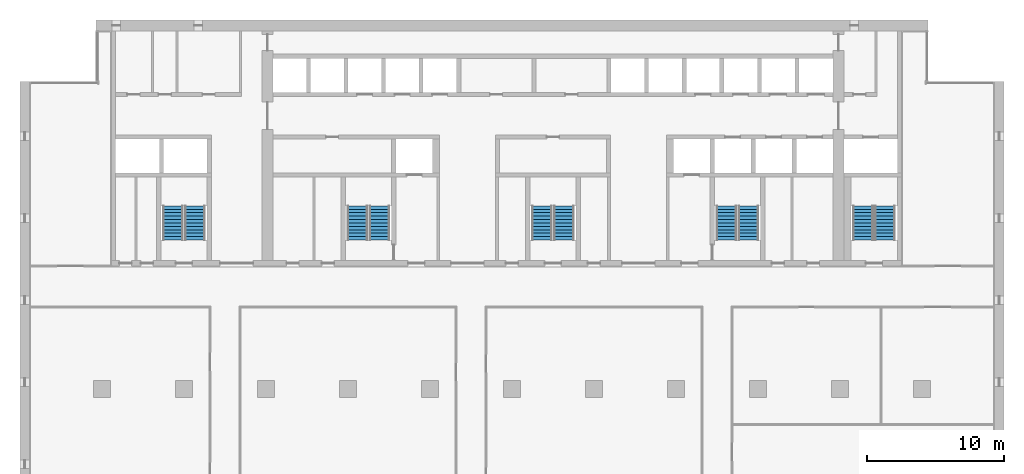
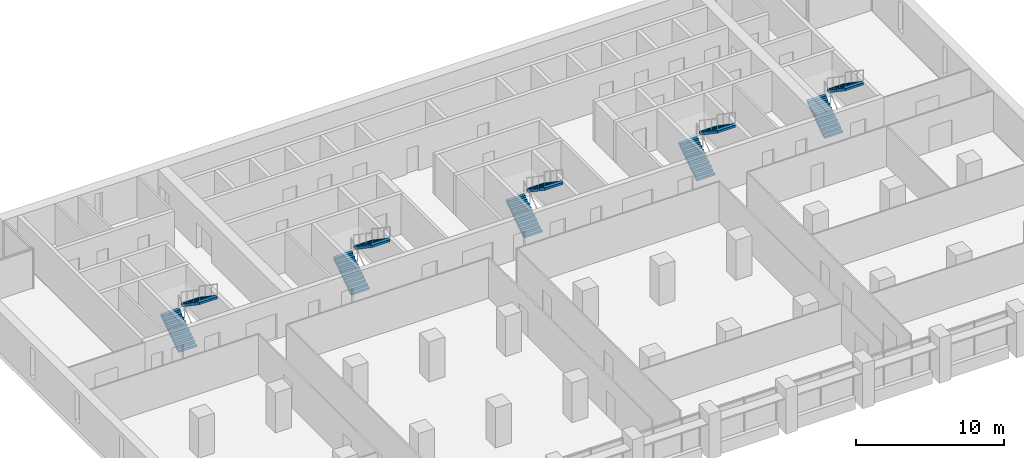
# One storey, part 13 of 16: 10 stair flights, 5 elements without a shape of their own.
"""IFC4 building model written with IfcOpenShell, lengths in metres."""

from ifc_helpers import new_model, si_unit, direction, frame, origin, place, context, subcontext, project, spatial, polyline, outline, extrude, material, type_object, element, aggregate, save


model = new_model("IFC4")

# Units and contexts
model_context = context("Model", 3, precision=1e-05, world=origin(), true_north=direction((0.0, 1.0)))
body_context = subcontext(model_context, "Body", "Model", "MODEL_VIEW")
ifc_project = project(units=[si_unit("LENGTHUNIT", "METRE"), si_unit("AREAUNIT", "SQUARE_METRE"), si_unit("VOLUMEUNIT", "CUBIC_METRE"), si_unit("PLANEANGLEUNIT", "RADIAN"), si_unit("MASSUNIT", "GRAM", prefix="KILO")], contexts=[model_context])

# Site, building, storey
site_placement = place(None, origin())
site = spatial("IfcSite", under=ifc_project, at=site_placement, CompositionType="ELEMENT")
building_placement = place(site_placement, origin())
building = spatial("IfcBuilding", under=site, at=building_placement, Name="Calvaro Tower", CompositionType="ELEMENT")
storey_placement = place(building_placement, frame((0.0, 0.0, 140.0)))
storey = spatial("IfcBuildingStorey", under=building, at=storey_placement, Name="L35", CompositionType="ELEMENT", Elevation=140.0)

# Stair, stair flights
ifc_material_1 = material(Name="Concrete C40/50", Category="concrete")
stair_type = type_object("IfcStairType", Name="Exit stair 1400 2 flights", PredefinedType="HALF_TURN_STAIR", material=ifc_material_1)
stair_1_placement = place(storey_placement, origin())
stair_1 = element("IfcStair", 1, at=stair_1_placement, inside=storey, type_object=stair_type, Name="Exit stair S1", PredefinedType="HALF_TURN_STAIR")
ifc_material_2 = material(Name="Concrete C40/50", Category="concrete")
stair_flight_type = type_object("IfcStairFlightType", Name="Stair flight", PredefinedType="STRAIGHT", material=ifc_material_2)
stair_flight_1_placement = place(storey_placement, frame((11.199951171875, 29.89990234375, 0.0), z_axis=(0.0, 0.0, 1.0), x_axis=(0.0, 1.0, 0.0)))
stair_flight_1 = element("IfcStairFlight", 2, at=stair_flight_1_placement, type_object=stair_flight_type, Name="Exit stair 1, flight 1", NumberOfRisers=11, NumberOfTreads=10, PredefinedType="STRAIGHT", RiserHeight=0.170454545, TreadLength=0.25, context=body_context, shape_type="SweptSolid", body=[
    extrude(outline(polyline([(0.0, 0.0), (0.0, 0.17041015625), (0.25, 0.17041015625), (0.25, 0.3408203125), (0.5, 0.3408203125), (0.5, 0.511474609375), (0.75, 0.511474609375), (0.75, 0.681884765625), (1.0, 0.681884765625), (1.0, 0.852294921875), (1.25, 0.852294921875), (1.25, 1.022705078125), (1.5, 1.022705078125), (1.5, 1.193115234375), (1.75, 1.193115234375), (1.75, 1.363525390625), (2.0, 1.363525390625), (2.0, 1.5341796875), (2.25, 1.5341796875), (2.25, 1.70458984375), (2.5, 1.70458984375), (2.5, 1.875), (2.5, 1.523193359375), (0.26611328125, 0.0), (0.0, 0.0)])), frame((0.0, 0.699951171875, 0.0), z_axis=(0.0, -1.0, 0.0), x_axis=(1.0, 0.0, 0.0)), (0.0, 0.0, 1.0), 1.39990234375),
])
stair_flight_2_placement = place(storey_placement, frame((12.800048828125, 32.39990234375, 1.875), z_axis=(0.0, 0.0, 1.0), x_axis=(0.0, -1.0, 0.0)))
stair_flight_2 = element("IfcStairFlight", 3, at=stair_flight_2_placement, type_object=stair_flight_type, Name="Exit stair 1, flight 2", NumberOfRisers=11, NumberOfTreads=10, PredefinedType="STRAIGHT", RiserHeight=0.170454545, TreadLength=0.25, context=body_context, shape_type="SweptSolid", body=[
    extrude(outline(polyline([(0.0, 0.0), (0.0, 0.17041015625), (0.25, 0.17041015625), (0.25, 0.3408203125), (0.5, 0.3408203125), (0.5, 0.511474609375), (0.75, 0.511474609375), (0.75, 0.681884765625), (1.0, 0.681884765625), (1.0, 0.852294921875), (1.25, 0.852294921875), (1.25, 1.022705078125), (1.5, 1.022705078125), (1.5, 1.193115234375), (1.75, 1.193115234375), (1.75, 1.363525390625), (2.0, 1.363525390625), (2.0, 1.5341796875), (2.25, 1.5341796875), (2.25, 1.70458984375), (2.5, 1.70458984375), (2.5, 1.875), (2.5, 1.523193359375), (0.26611328125, 0.0), (0.0, 0.0)])), frame((0.0, 0.699951171875, 0.0), z_axis=(0.0, -1.0, 0.0), x_axis=(1.0, 0.0, 0.0)), (0.0, 0.0, 1.0), 1.39990234375),
])
aggregate(stair_1, [stair_flight_1, stair_flight_2])

stair_2_placement = place(storey_placement, origin())
stair_2 = element("IfcStair", 4, at=stair_2_placement, inside=storey, type_object=stair_type, Name="Exit stair S2", PredefinedType="HALF_TURN_STAIR")
stair_flight_3_placement = place(storey_placement, frame((24.699951171875, 29.89990234375, 0.0), z_axis=(0.0, 0.0, 1.0), x_axis=(0.0, 1.0, 0.0)))
stair_flight_3 = element("IfcStairFlight", 5, at=stair_flight_3_placement, type_object=stair_flight_type, Name="Exit stair 2, flight 1", NumberOfRisers=11, NumberOfTreads=10, PredefinedType="STRAIGHT", RiserHeight=0.170454545, TreadLength=0.25, context=body_context, shape_type="SweptSolid", body=[
    extrude(outline(polyline([(0.0, 0.0), (0.0, 0.17041015625), (0.25, 0.17041015625), (0.25, 0.3408203125), (0.5, 0.3408203125), (0.5, 0.511474609375), (0.75, 0.511474609375), (0.75, 0.681884765625), (1.0, 0.681884765625), (1.0, 0.852294921875), (1.25, 0.852294921875), (1.25, 1.022705078125), (1.5, 1.022705078125), (1.5, 1.193115234375), (1.75, 1.193115234375), (1.75, 1.363525390625), (2.0, 1.363525390625), (2.0, 1.5341796875), (2.25, 1.5341796875), (2.25, 1.70458984375), (2.5, 1.70458984375), (2.5, 1.875), (2.5, 1.523193359375), (0.26611328125, 0.0), (0.0, 0.0)])), frame((0.0, 0.699951171875, 0.0), z_axis=(0.0, -1.0, 0.0), x_axis=(1.0, 0.0, 0.0)), (0.0, 0.0, 1.0), 1.39990234375),
])
stair_flight_4_placement = place(storey_placement, frame((26.300048828125, 32.39990234375, 1.875), z_axis=(0.0, 0.0, 1.0), x_axis=(0.0, -1.0, 0.0)))
stair_flight_4 = element("IfcStairFlight", 6, at=stair_flight_4_placement, type_object=stair_flight_type, Name="Exit stair 2, flight 2", NumberOfRisers=11, NumberOfTreads=10, PredefinedType="STRAIGHT", RiserHeight=0.170454545, TreadLength=0.25, context=body_context, shape_type="SweptSolid", body=[
    extrude(outline(polyline([(0.0, 0.0), (0.0, 0.17041015625), (0.25, 0.17041015625), (0.25, 0.3408203125), (0.5, 0.3408203125), (0.5, 0.511474609375), (0.75, 0.511474609375), (0.75, 0.681884765625), (1.0, 0.681884765625), (1.0, 0.852294921875), (1.25, 0.852294921875), (1.25, 1.022705078125), (1.5, 1.022705078125), (1.5, 1.193115234375), (1.75, 1.193115234375), (1.75, 1.363525390625), (2.0, 1.363525390625), (2.0, 1.5341796875), (2.25, 1.5341796875), (2.25, 1.70458984375), (2.5, 1.70458984375), (2.5, 1.875), (2.5, 1.523193359375), (0.26611328125, 0.0), (0.0, 0.0)])), frame((0.0, 0.699951171875, 0.0), z_axis=(0.0, -1.0, 0.0), x_axis=(1.0, 0.0, 0.0)), (0.0, 0.0, 1.0), 1.39990234375),
])
aggregate(stair_2, [stair_flight_3, stair_flight_4])

stair_3_placement = place(storey_placement, origin())
stair_3 = element("IfcStair", 7, at=stair_3_placement, inside=storey, type_object=stair_type, Name="Exit stair S3", PredefinedType="HALF_TURN_STAIR")
stair_flight_5_placement = place(storey_placement, frame((38.199951171875, 29.89990234375, 0.0), z_axis=(0.0, 0.0, 1.0), x_axis=(0.0, 1.0, 0.0)))
stair_flight_5 = element("IfcStairFlight", 8, at=stair_flight_5_placement, type_object=stair_flight_type, Name="Exit stair 3, flight 1", NumberOfRisers=11, NumberOfTreads=10, PredefinedType="STRAIGHT", RiserHeight=0.170454545, TreadLength=0.25, context=body_context, shape_type="SweptSolid", body=[
    extrude(outline(polyline([(0.0, 0.0), (0.0, 0.17041015625), (0.25, 0.17041015625), (0.25, 0.3408203125), (0.5, 0.3408203125), (0.5, 0.511474609375), (0.75, 0.511474609375), (0.75, 0.681884765625), (1.0, 0.681884765625), (1.0, 0.852294921875), (1.25, 0.852294921875), (1.25, 1.022705078125), (1.5, 1.022705078125), (1.5, 1.193115234375), (1.75, 1.193115234375), (1.75, 1.363525390625), (2.0, 1.363525390625), (2.0, 1.5341796875), (2.25, 1.5341796875), (2.25, 1.70458984375), (2.5, 1.70458984375), (2.5, 1.875), (2.5, 1.523193359375), (0.26611328125, 0.0), (0.0, 0.0)])), frame((0.0, 0.699951171875, 0.0), z_axis=(0.0, -1.0, 0.0), x_axis=(1.0, 0.0, 0.0)), (0.0, 0.0, 1.0), 1.39990234375),
])
stair_flight_6_placement = place(storey_placement, frame((39.800048828125, 32.39990234375, 1.875), z_axis=(0.0, 0.0, 1.0), x_axis=(0.0, -1.0, 0.0)))
stair_flight_6 = element("IfcStairFlight", 9, at=stair_flight_6_placement, type_object=stair_flight_type, Name="Exit stair 3, flight 2", NumberOfRisers=11, NumberOfTreads=10, PredefinedType="STRAIGHT", RiserHeight=0.170454545, TreadLength=0.25, context=body_context, shape_type="SweptSolid", body=[
    extrude(outline(polyline([(0.0, 0.0), (0.0, 0.17041015625), (0.25, 0.17041015625), (0.25, 0.3408203125), (0.5, 0.3408203125), (0.5, 0.511474609375), (0.75, 0.511474609375), (0.75, 0.681884765625), (1.0, 0.681884765625), (1.0, 0.852294921875), (1.25, 0.852294921875), (1.25, 1.022705078125), (1.5, 1.022705078125), (1.5, 1.193115234375), (1.75, 1.193115234375), (1.75, 1.363525390625), (2.0, 1.363525390625), (2.0, 1.5341796875), (2.25, 1.5341796875), (2.25, 1.70458984375), (2.5, 1.70458984375), (2.5, 1.875), (2.5, 1.523193359375), (0.26611328125, 0.0), (0.0, 0.0)])), frame((0.0, 0.699951171875, 0.0), z_axis=(0.0, -1.0, 0.0), x_axis=(1.0, 0.0, 0.0)), (0.0, 0.0, 1.0), 1.39990234375),
])
aggregate(stair_3, [stair_flight_5, stair_flight_6])

stair_4_placement = place(storey_placement, origin())
stair_4 = element("IfcStair", 10, at=stair_4_placement, inside=storey, type_object=stair_type, Name="Exit stair S4", PredefinedType="HALF_TURN_STAIR")
stair_flight_7_placement = place(storey_placement, frame((51.699951171875, 29.89990234375, 0.0), z_axis=(0.0, 0.0, 1.0), x_axis=(0.0, 1.0, 0.0)))
stair_flight_7 = element("IfcStairFlight", 11, at=stair_flight_7_placement, type_object=stair_flight_type, Name="Exit stair 4, flight 1", NumberOfRisers=11, NumberOfTreads=10, PredefinedType="STRAIGHT", RiserHeight=0.170454545, TreadLength=0.25, context=body_context, shape_type="SweptSolid", body=[
    extrude(outline(polyline([(0.0, 0.0), (0.0, 0.17041015625), (0.25, 0.17041015625), (0.25, 0.3408203125), (0.5, 0.3408203125), (0.5, 0.511474609375), (0.75, 0.511474609375), (0.75, 0.681884765625), (1.0, 0.681884765625), (1.0, 0.852294921875), (1.25, 0.852294921875), (1.25, 1.022705078125), (1.5, 1.022705078125), (1.5, 1.193115234375), (1.75, 1.193115234375), (1.75, 1.363525390625), (2.0, 1.363525390625), (2.0, 1.5341796875), (2.25, 1.5341796875), (2.25, 1.70458984375), (2.5, 1.70458984375), (2.5, 1.875), (2.5, 1.523193359375), (0.26611328125, 0.0), (0.0, 0.0)])), frame((0.0, 0.699951171875, 0.0), z_axis=(0.0, -1.0, 0.0), x_axis=(1.0, 0.0, 0.0)), (0.0, 0.0, 1.0), 1.39990234375),
])
stair_flight_8_placement = place(storey_placement, frame((53.300048828125, 32.39990234375, 1.875), z_axis=(0.0, 0.0, 1.0), x_axis=(0.0, -1.0, 0.0)))
stair_flight_8 = element("IfcStairFlight", 12, at=stair_flight_8_placement, type_object=stair_flight_type, Name="Exit stair 4, flight 2", NumberOfRisers=11, NumberOfTreads=10, PredefinedType="STRAIGHT", RiserHeight=0.170454545, TreadLength=0.25, context=body_context, shape_type="SweptSolid", body=[
    extrude(outline(polyline([(0.0, 0.0), (0.0, 0.17041015625), (0.25, 0.17041015625), (0.25, 0.3408203125), (0.5, 0.3408203125), (0.5, 0.511474609375), (0.75, 0.511474609375), (0.75, 0.681884765625), (1.0, 0.681884765625), (1.0, 0.852294921875), (1.25, 0.852294921875), (1.25, 1.022705078125), (1.5, 1.022705078125), (1.5, 1.193115234375), (1.75, 1.193115234375), (1.75, 1.363525390625), (2.0, 1.363525390625), (2.0, 1.5341796875), (2.25, 1.5341796875), (2.25, 1.70458984375), (2.5, 1.70458984375), (2.5, 1.875), (2.5, 1.523193359375), (0.26611328125, 0.0), (0.0, 0.0)])), frame((0.0, 0.699951171875, 0.0), z_axis=(0.0, -1.0, 0.0), x_axis=(1.0, 0.0, 0.0)), (0.0, 0.0, 1.0), 1.39990234375),
])
aggregate(stair_4, [stair_flight_7, stair_flight_8])

stair_5_placement = place(storey_placement, origin())
stair_5 = element("IfcStair", 13, at=stair_5_placement, inside=storey, type_object=stair_type, Name="Exit stair S5", PredefinedType="HALF_TURN_STAIR")
stair_flight_9_placement = place(storey_placement, frame((61.699951171875, 29.89990234375, 0.0), z_axis=(0.0, 0.0, 1.0), x_axis=(0.0, 1.0, 0.0)))
stair_flight_9 = element("IfcStairFlight", 14, at=stair_flight_9_placement, type_object=stair_flight_type, Name="Exit stair 5, flight 1", NumberOfRisers=11, NumberOfTreads=10, PredefinedType="STRAIGHT", RiserHeight=0.170454545, TreadLength=0.25, context=body_context, shape_type="SweptSolid", body=[
    extrude(outline(polyline([(0.0, 0.0), (0.0, 0.17041015625), (0.25, 0.17041015625), (0.25, 0.3408203125), (0.5, 0.3408203125), (0.5, 0.511474609375), (0.75, 0.511474609375), (0.75, 0.681884765625), (1.0, 0.681884765625), (1.0, 0.852294921875), (1.25, 0.852294921875), (1.25, 1.022705078125), (1.5, 1.022705078125), (1.5, 1.193115234375), (1.75, 1.193115234375), (1.75, 1.363525390625), (2.0, 1.363525390625), (2.0, 1.5341796875), (2.25, 1.5341796875), (2.25, 1.70458984375), (2.5, 1.70458984375), (2.5, 1.875), (2.5, 1.523193359375), (0.26611328125, 0.0), (0.0, 0.0)])), frame((0.0, 0.699951171875, 0.0), z_axis=(0.0, -1.0, 0.0), x_axis=(1.0, 0.0, 0.0)), (0.0, 0.0, 1.0), 1.39990234375),
])
stair_flight_10_placement = place(storey_placement, frame((63.300048828125, 32.39990234375, 1.875), z_axis=(0.0, 0.0, 1.0), x_axis=(0.0, -1.0, 0.0)))
stair_flight_10 = element("IfcStairFlight", 15, at=stair_flight_10_placement, type_object=stair_flight_type, Name="Exit stair 5, flight 2", NumberOfRisers=11, NumberOfTreads=10, PredefinedType="STRAIGHT", RiserHeight=0.170454545, TreadLength=0.25, context=body_context, shape_type="SweptSolid", body=[
    extrude(outline(polyline([(0.0, 0.0), (0.0, 0.17041015625), (0.25, 0.17041015625), (0.25, 0.3408203125), (0.5, 0.3408203125), (0.5, 0.511474609375), (0.75, 0.511474609375), (0.75, 0.681884765625), (1.0, 0.681884765625), (1.0, 0.852294921875), (1.25, 0.852294921875), (1.25, 1.022705078125), (1.5, 1.022705078125), (1.5, 1.193115234375), (1.75, 1.193115234375), (1.75, 1.363525390625), (2.0, 1.363525390625), (2.0, 1.5341796875), (2.25, 1.5341796875), (2.25, 1.70458984375), (2.5, 1.70458984375), (2.5, 1.875), (2.5, 1.523193359375), (0.26611328125, 0.0), (0.0, 0.0)])), frame((0.0, 0.699951171875, 0.0), z_axis=(0.0, -1.0, 0.0), x_axis=(1.0, 0.0, 0.0)), (0.0, 0.0, 1.0), 1.39990234375),
])
aggregate(stair_5, [stair_flight_9, stair_flight_10])

save(model, "model.ifc")
